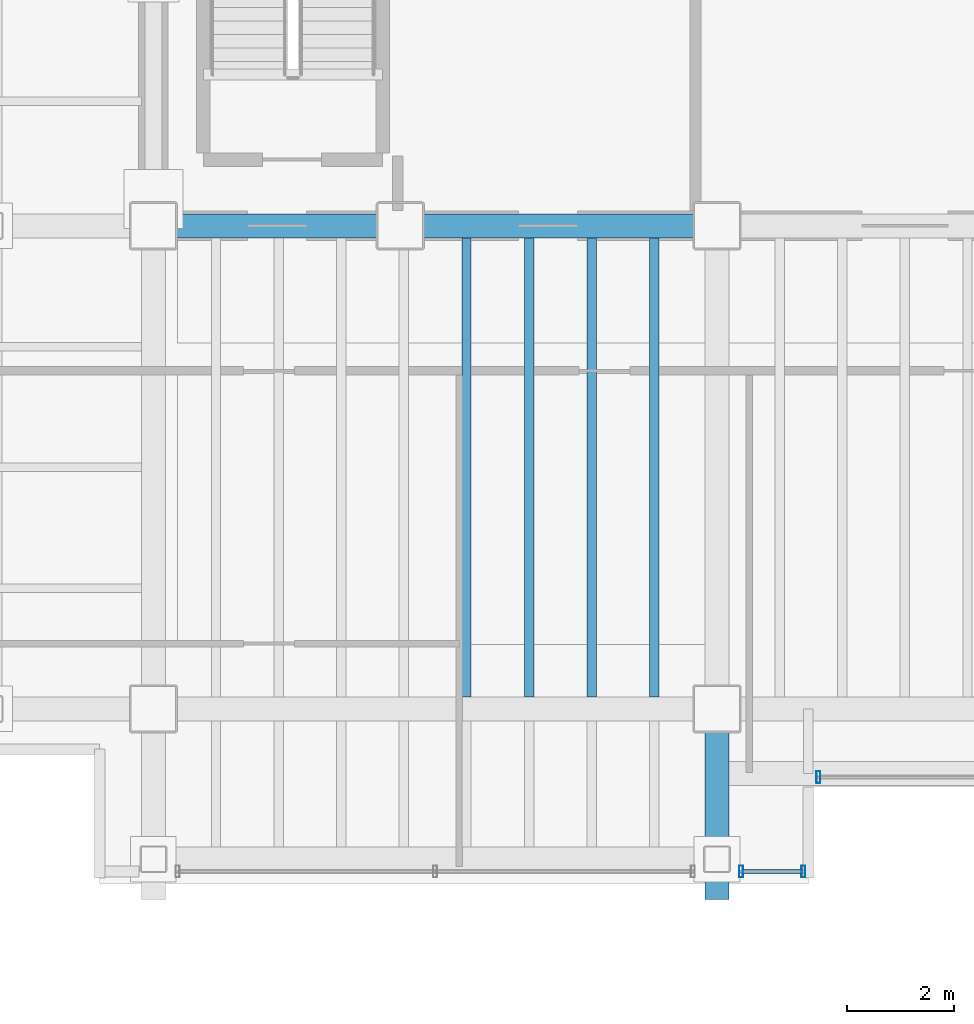
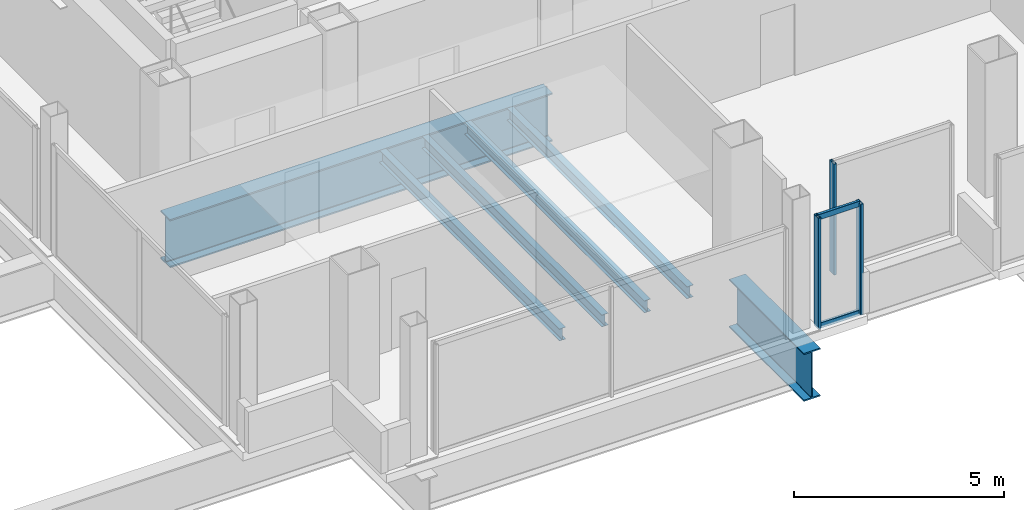
# One storey, part 5 of 19: 6 beams, 5 members, 2 elements without a shape of their own.
"""IFC4 building model written with IfcOpenShell, lengths in metres."""

from ifc_helpers import new_model, si_unit, direction, frame, origin, origin_2d, place, context, subcontext, project, spatial, hollow_rectangle, i_section, extrude, material, material_profile, profile_set, type_object, element, aggregate, save


model = new_model("IFC4")

# Units and contexts
model_context = context("Model", 3, precision=1e-05, world=origin(), true_north=direction((0.0, 1.0)))
body_context = subcontext(model_context, "Body", "Model", "MODEL_VIEW")
ifc_project = project(units=[si_unit("LENGTHUNIT", "METRE"), si_unit("AREAUNIT", "SQUARE_METRE"), si_unit("VOLUMEUNIT", "CUBIC_METRE"), si_unit("PLANEANGLEUNIT", "RADIAN"), si_unit("MASSUNIT", "GRAM", prefix="KILO")], contexts=[model_context])

# Site, building, storey
site_placement = place(None, origin())
site = spatial("IfcSite", under=ifc_project, at=site_placement, CompositionType="ELEMENT")
building_placement = place(site_placement, origin())
building = spatial("IfcBuilding", under=site, at=building_placement, Name="Noeulbin Bourse Tower", CompositionType="ELEMENT")
storey_placement = place(building_placement, frame((0.0, 0.0, 169.5)))
storey = spatial("IfcBuildingStorey", under=building, at=storey_placement, Name="L42", CompositionType="ELEMENT", Elevation=169.5)

# Beams
ifc_material_1 = material(Name="Steel S355", Category="steel")
ifc_material_profile_1 = material_profile(ifc_material_1, i_section(OverallWidth=0.175048828125, OverallDepth=0.35009765625, WebThickness=0.007080078125, FlangeThickness=0.010986328125, FilletRadius=0.013916015625, at=origin_2d()), Name="H-350x175x7x11", Category="LoadBearing")
ifc_profile_set_1 = profile_set([ifc_material_profile_1], Name="Steel S355")
beam_type_1 = type_object("IfcBeamType", Name="BM-JST-350", PredefinedType="JOIST", material=ifc_profile_set_1)
for number, where, z_axis, x_axis, name in (
    (1, (19.333251953125, 20.22509765625, -0.4150390625), (0.0, 1.0, 0.0), (-1.0, 0.0, 0.0), "Tower Composite Joist L42-14"),
    (2, (20.5, 20.22509765625, -0.4150390625), (0.0, 1.0, 0.0), (-1.0, 0.0, 0.0), "Tower Composite Joist L42-17"),
    (3, (21.666748046875, 20.22509765625, -0.4150390625), (0.0, 1.0, 0.0), (-1.0, 0.0, 0.0), "Tower Composite Joist L42-20"),
    (4, (22.833251953125, 20.22509765625, -0.4150390625), (0.0, 1.0, 0.0), (-1.0, 0.0, 0.0), "Tower Composite Joist L42-23"),
):
    element("IfcBeam", number, at=place(storey_placement, frame(where, z_axis=z_axis, x_axis=x_axis)), inside=storey, type_object=beam_type_1, Name=name, PredefinedType="JOIST", context=body_context, shape_type="SweptSolid", body=[
        extrude(i_section(OverallWidth=0.175048828125, OverallDepth=0.35009765625, WebThickness=0.007080078125, FlangeThickness=0.010986328125, FilletRadius=0.013916015625, at=origin_2d()), origin(), (0.0, 0.0, 1.0), 8.5498046875),
    ])
ifc_material_2 = material(Name="Steel S460", Category="steel")
ifc_material_profile_2 = material_profile(ifc_material_2, i_section(OverallWidth=0.449951171875, OverallDepth=1.39990234375, WebThickness=0.02392578125, FlangeThickness=0.0400390625, FilletRadius=0.02392578125, at=origin_2d()), Name="PG-1400x450x24x40", Category="LoadBearing")
ifc_profile_set_2 = profile_set([ifc_material_profile_2], Name="Steel S460")
beam_type_2 = type_object("IfcBeamType", Name="BM-TRF-1400", PredefinedType="USERDEFINED", material=ifc_profile_set_2)
beam_1_placement = place(storey_placement, frame((13.5, 29.0, -0.93994140625), z_axis=(1.0, 0.0, 0.0), x_axis=(0.0, 1.0, 0.0)))
element("IfcBeam", 5, at=beam_1_placement, inside=storey, type_object=beam_type_2, Name="Tower Primary Girder EW L42-2.2", ObjectType="GIRDER", PredefinedType="USERDEFINED", context=body_context, shape_type="SweptSolid", body=[
    extrude(i_section(OverallWidth=0.449951171875, OverallDepth=1.39990234375, WebThickness=0.02392578125, FlangeThickness=0.0400390625, FilletRadius=0.02392578125, at=origin_2d()), origin(), (0.0, 0.0, 1.0), 10.5),
])
beam_2_placement = place(storey_placement, frame((24.0, 16.449951171875, -0.93994140625), z_axis=(0.0, 1.0, 0.0), x_axis=(-1.0, 0.0, 0.0)))
element("IfcBeam", 6, at=beam_2_placement, inside=storey, type_object=beam_type_2, Name="Tower Primary Girder NS L42-2.1", ObjectType="GIRDER", PredefinedType="USERDEFINED", context=body_context, shape_type="SweptSolid", body=[
    extrude(i_section(OverallWidth=0.449951171875, OverallDepth=1.39990234375, WebThickness=0.02392578125, FlangeThickness=0.0400390625, FilletRadius=0.02392578125, at=origin_2d()), origin(), (0.0, 0.0, 1.0), 3.550048828125),
])

# Curtain wall, member
ifc_material_3 = material(Name="Dark Tinted Triple Glazing", Category="glass")
curtain_wall_type = type_object("IfcCurtainWallType", Name="CW-SYS-3", PredefinedType="NOTDEFINED", material=ifc_material_3)
curtain_wall_1_placement = place(storey_placement, origin())
curtain_wall_1 = element("IfcCurtainWall", 7, at=curtain_wall_1_placement, inside=storey, type_object=curtain_wall_type, Name="Unitised Curtain Wall CW-L42-SREC", PredefinedType="NOTDEFINED")
ifc_material_4 = material(Name="Anodised Aluminium 6063-T6", Category="aluminium")
ifc_material_profile_3 = material_profile(ifc_material_4, hollow_rectangle(XDim=0.074951171875, YDim=0.219970703125, WallThickness=0.0048828125, InnerFilletRadius=0.00244140625, OuterFilletRadius=0.0048828125, at=origin_2d()), Name="ALU-MULL-75x220x5", Category="LoadBearing")
ifc_profile_set_3 = profile_set([ifc_material_profile_3], Name="Anodised Aluminium 6063-T6")
member_type_1 = type_object("IfcMemberType", Name="CW-SYS-3-MUL", PredefinedType="MULLION", material=ifc_profile_set_3)
member_1_placement = place(storey_placement, frame((25.889892578125, 18.72998046875, -0.02001953125), z_axis=(0.0, 0.0, 1.0), x_axis=(1.0, 0.0, 0.0)))
member_1 = element("IfcMember", 8, at=member_1_placement, type_object=member_type_1, Name="Curtain Wall Mullion CW-L42-SREC-M00", PredefinedType="MULLION", context=body_context, shape_type="SweptSolid", body=[
    extrude(hollow_rectangle(XDim=0.074951171875, YDim=0.219970703125, WallThickness=0.0048828125, InnerFilletRadius=0.00244140625, OuterFilletRadius=0.0048828125, at=origin_2d()), origin(), (0.0, 0.0, 1.0), 3.219970703125),
])
aggregate(curtain_wall_1, [member_1])

# Curtain wall, members
curtain_wall_2_placement = place(storey_placement, origin())
curtain_wall_2 = element("IfcCurtainWall", 9, at=curtain_wall_2_placement, inside=storey, type_object=curtain_wall_type, Name="Unitised Curtain Wall CW-L42-S1-S2", PredefinedType="NOTDEFINED")
member_2_placement = place(storey_placement, frame((24.449951171875, 16.969970703125, -0.02001953125), z_axis=(0.0, 0.0, 1.0), x_axis=(1.0, 0.0, 0.0)))
member_2 = element("IfcMember", 10, at=member_2_placement, type_object=member_type_1, Name="Curtain Wall Mullion CW-L42-S1-S2-M00", PredefinedType="MULLION", context=body_context, shape_type="SweptSolid", body=[
    extrude(hollow_rectangle(XDim=0.074951171875, YDim=0.219970703125, WallThickness=0.0048828125, InnerFilletRadius=0.00244140625, OuterFilletRadius=0.0048828125, at=origin_2d()), origin(), (0.0, 0.0, 1.0), 3.219970703125),
])
member_3_placement = place(storey_placement, frame((25.610107421875, 16.969970703125, -0.02001953125), z_axis=(0.0, 0.0, 1.0), x_axis=(1.0, 0.0, 0.0)))
member_3 = element("IfcMember", 11, at=member_3_placement, type_object=member_type_1, Name="Curtain Wall Mullion CW-L42-S1-S2-M01", PredefinedType="MULLION", context=body_context, shape_type="SweptSolid", body=[
    extrude(hollow_rectangle(XDim=0.074951171875, YDim=0.219970703125, WallThickness=0.0048828125, InnerFilletRadius=0.00244140625, OuterFilletRadius=0.0048828125, at=origin_2d()), origin(), (0.0, 0.0, 1.0), 3.219970703125),
])
ifc_material_profile_4 = material_profile(ifc_material_4, hollow_rectangle(XDim=0.074951171875, YDim=0.159912109375, WallThickness=0.0048828125, InnerFilletRadius=0.00244140625, OuterFilletRadius=0.0048828125, at=origin_2d()), Name="ALU-TRAN-75x160x5", Category="LoadBearing")
ifc_profile_set_4 = profile_set([ifc_material_profile_4], Name="Anodised Aluminium 6063-T6")
member_type_2 = type_object("IfcMemberType", Name="CW-SYS-3-TRN", PredefinedType="USERDEFINED", material=ifc_profile_set_4)
member_4_placement = place(storey_placement, frame((24.4599609375, 16.969970703125, 0.010009765625), z_axis=(1.0, 0.0, 0.0), x_axis=(0.0, 1.0, 0.0)))
member_4 = element("IfcMember", 12, at=member_4_placement, type_object=member_type_2, Name="Curtain Wall Transom CW-L42-S1-S2-T00", ObjectType="TRANSOM", PredefinedType="USERDEFINED", context=body_context, shape_type="SweptSolid", body=[
    extrude(hollow_rectangle(XDim=0.074951171875, YDim=0.159912109375, WallThickness=0.0048828125, InnerFilletRadius=0.00244140625, OuterFilletRadius=0.0048828125, at=origin_2d()), origin(), (0.0, 0.0, 1.0), 1.14013671875),
])
member_5_placement = place(storey_placement, frame((24.4599609375, 16.969970703125, 3.169921875), z_axis=(1.0, 0.0, 0.0), x_axis=(0.0, 1.0, 0.0)))
member_5 = element("IfcMember", 13, at=member_5_placement, type_object=member_type_2, Name="Curtain Wall Transom CW-L42-S1-S2-T01", ObjectType="TRANSOM", PredefinedType="USERDEFINED", context=body_context, shape_type="SweptSolid", body=[
    extrude(hollow_rectangle(XDim=0.074951171875, YDim=0.159912109375, WallThickness=0.0048828125, InnerFilletRadius=0.00244140625, OuterFilletRadius=0.0048828125, at=origin_2d()), origin(), (0.0, 0.0, 1.0), 1.14013671875),
])
aggregate(curtain_wall_2, [member_2, member_3, member_4, member_5])

save(model, "model.ifc")
